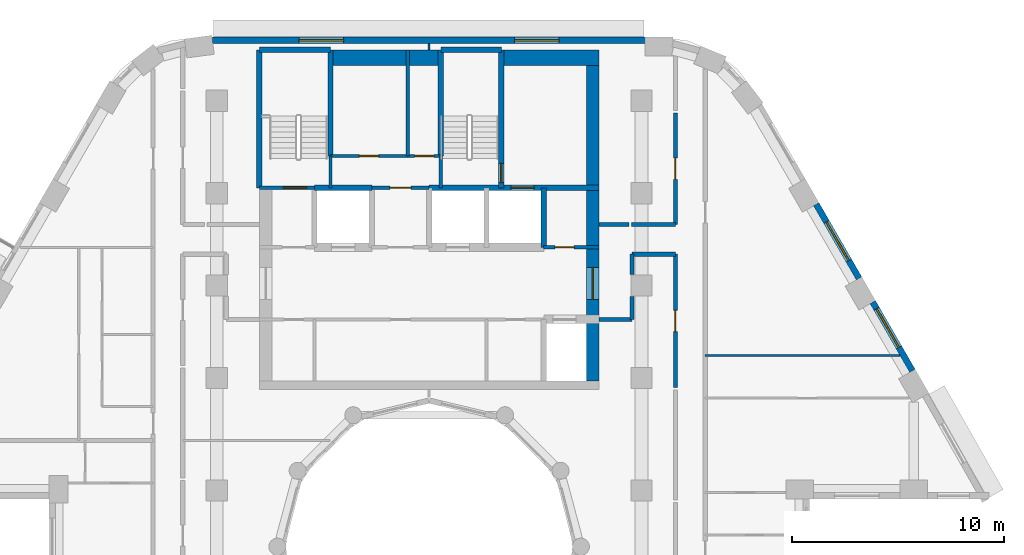
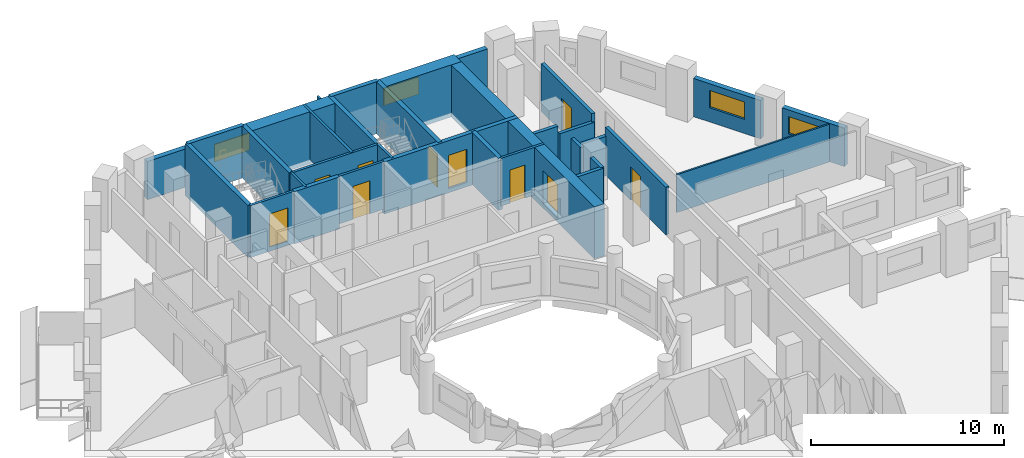
# One storey, part 8 of 13: 32 walls, 10 doors, 4 windows, 14 openings.
"""IFC4 building model written with IfcOpenShell, lengths in metres."""

from ifc_helpers import new_model, si_unit, direction, frame, frame_2d, origin, place, context, subcontext, project, spatial, rectangle, extrude, material, layer, layer_set, type_object, element, fill, save


model = new_model("IFC4")

# Units and contexts
model_context = context("Model", 3, precision=1e-05, world=origin(), true_north=direction((0.0, 1.0)))
body_context = subcontext(model_context, "Body", "Model", "MODEL_VIEW")
ifc_project = project(units=[si_unit("LENGTHUNIT", "METRE"), si_unit("AREAUNIT", "SQUARE_METRE"), si_unit("VOLUMEUNIT", "CUBIC_METRE"), si_unit("PLANEANGLEUNIT", "RADIAN"), si_unit("MASSUNIT", "GRAM", prefix="KILO")], contexts=[model_context])

# Site, building, storey
site_placement = place(None, origin())
site = spatial("IfcSite", under=ifc_project, at=site_placement, CompositionType="ELEMENT")
building_placement = place(site_placement, origin())
building = spatial("IfcBuilding", under=site, at=building_placement, Name="Nakaniwa Court", CompositionType="ELEMENT")
storey_placement = place(building_placement, frame((0.0, 0.0, 150.300048828125)))
storey = spatial("IfcBuildingStorey", under=building, at=storey_placement, Name="L39", CompositionType="ELEMENT", Elevation=150.300048828125)

# Wall, opening, door
ifc_material_1 = material(Name="Acoustic double stud partition")
ifc_layer_1 = layer(ifc_material_1, 0.199951171875)
ifc_layer_set_1 = layer_set([ifc_layer_1], Name="Acoustic double stud partition")
wall_type_1 = type_object("IfcWallType", Name="Acoustic double stud partition 200", PredefinedType="PARTITIONING", material=ifc_layer_set_1)
wall_1_placement = place(storey_placement, frame((91.60009765625, 87.4873046875, 0.0), z_axis=(0.0, 0.0, 1.0), x_axis=(0.0, 1.0, 0.0)))
wall_1 = element("IfcWall", 1, at=wall_1_placement, inside=storey, type_object=wall_type_1, Name="Partition PW-073", PredefinedType="PARTITIONING", context=body_context, shape_type="SweptSolid", body=[
    extrude(rectangle(XDim=6.28759765625, YDim=0.199951171875, at=frame_2d((3.143798828125, 0.0))), origin(), (0.0, 0.0, 1.0), 3.02490234375),
])
opening_1_placement = place(wall_1_placement, frame((2.64501953125, 0.0, 0.0)))
opening_1 = element("IfcOpeningElement", 2, at=opening_1_placement, cuts=wall_1, Name="Opening D-02-11", PredefinedType="OPENING", context=body_context, shape_type="SweptSolid", body=[
    extrude(rectangle(XDim=1.0, YDim=2.10009765625, at=frame_2d((0.5, 1.050048828125))), frame((0.0, 0.10986328125, 0.0), z_axis=(0.0, -1.0, 0.0), x_axis=(1.0, 0.0, 0.0)), (0.0, 0.0, 1.0), 0.219970703125),
])
ifc_material_2 = material(Name="Solid core timber door set, black veneer", Category="wood")
door_type_1 = type_object("IfcDoorType", Name="Internal door 1000", OperationType="NOTDEFINED", PredefinedType="DOOR", material=ifc_material_2)
door_1_placement = place(opening_1_placement, origin())
door_1 = element("IfcDoor", 3, at=door_1_placement, inside=storey, type_object=door_type_1, Name="Door D-02-11 L39-046", OperationType="SINGLE_SWING_LEFT", OverallHeight=2.10009765625, OverallWidth=1.0, PredefinedType="DOOR", context=body_context, shape_type="SweptSolid", body=[
    extrude(rectangle(XDim=1.0, YDim=2.10009765625, at=frame_2d((0.5, 1.050048828125))), frame((0.0, 0.02490234375, 0.0), z_axis=(0.0, -1.0, 0.0), x_axis=(1.0, 0.0, 0.0)), (0.0, 0.0, 1.0), 0.050048828125),
])
fill(opening_1, door_1)

wall_2_placement = place(storey_placement, frame((91.60009765625, 95.175048828125, 0.0), z_axis=(0.0, 0.0, 1.0), x_axis=(0.0, 1.0, 0.0)))
wall_2 = element("IfcWall", 4, at=wall_2_placement, inside=storey, type_object=wall_type_1, Name="Partition PW-074", PredefinedType="PARTITIONING", context=body_context, shape_type="SweptSolid", body=[
    extrude(rectangle(XDim=5.247802734375, YDim=0.199951171875, at=frame_2d((2.6240234375, 0.0))), origin(), (0.0, 0.0, 1.0), 3.02490234375),
])
opening_2_placement = place(wall_2_placement, frame((2.123046875, 0.0, 0.0)))
opening_2 = element("IfcOpeningElement", 5, at=opening_2_placement, cuts=wall_2, Name="Opening D-02-12", PredefinedType="OPENING", context=body_context, shape_type="SweptSolid", body=[
    extrude(rectangle(XDim=1.0, YDim=2.10009765625, at=frame_2d((0.5, 1.050048828125))), frame((0.0, 0.10986328125, 0.0), z_axis=(0.0, -1.0, 0.0), x_axis=(1.0, 0.0, 0.0)), (0.0, 0.0, 1.0), 0.219970703125),
])
door_2_placement = place(opening_2_placement, origin())
door_2 = element("IfcDoor", 6, at=door_2_placement, inside=storey, type_object=door_type_1, Name="Door D-02-12 L39-047", OperationType="SINGLE_SWING_RIGHT", OverallHeight=2.10009765625, OverallWidth=1.0, PredefinedType="DOOR", context=body_context, shape_type="SweptSolid", body=[
    extrude(rectangle(XDim=1.0, YDim=2.10009765625, at=frame_2d((0.5, 1.050048828125))), frame((0.0, 0.02490234375, 0.0), z_axis=(0.0, -1.0, 0.0), x_axis=(1.0, 0.0, 0.0)), (0.0, 0.0, 1.0), 0.050048828125),
])
fill(opening_2, door_2)

# Walls
wall_3_placement = place(storey_placement, frame((89.550048828125, 90.699951171875, 0.0), z_axis=(0.0, 0.0, 1.0), x_axis=(0.0, 1.0, 0.0)))
element("IfcWall", 7, at=wall_3_placement, inside=storey, type_object=wall_type_1, Name="Partition PW-085", PredefinedType="PARTITIONING", context=body_context, shape_type="SweptSolid", body=[
    extrude(rectangle(XDim=1.082763671875, YDim=0.199951171875, at=frame_2d((0.54150390625, 0.0))), origin(), (0.0, 0.0, 1.0), 3.02490234375),
])
wall_4_placement = place(storey_placement, frame((89.550048828125, 92.817138671875, 0.0), z_axis=(0.0, 0.0, 1.0), x_axis=(0.0, 1.0, 0.0)))
element("IfcWall", 8, at=wall_4_placement, inside=storey, type_object=wall_type_1, Name="Partition PW-086", PredefinedType="PARTITIONING", context=body_context, shape_type="SweptSolid", body=[
    extrude(rectangle(XDim=0.957763671875, YDim=0.199951171875, at=frame_2d((0.47900390625, 0.0))), origin(), (0.0, 0.0, 1.0), 3.02490234375),
])
wall_5_placement = place(storey_placement, frame((89.550048828125, 93.77490234375, 0.0), z_axis=(0.0, 0.0, 1.0), x_axis=(1.0, 0.0, 0.0)))
element("IfcWall", 9, at=wall_5_placement, inside=storey, type_object=wall_type_1, Name="Partition PW-090", PredefinedType="PARTITIONING", context=body_context, shape_type="SweptSolid", body=[
    extrude(rectangle(XDim=2.050048828125, YDim=0.199951171875, at=frame_2d((1.02490234375, 0.0))), origin(), (0.0, 0.0, 1.0), 2.5048828125),
])
wall_6_placement = place(storey_placement, frame((88.0, 90.699951171875, 0.0), z_axis=(0.0, 0.0, 1.0), x_axis=(1.0, 0.0, 0.0)))
element("IfcWall", 10, at=wall_6_placement, inside=storey, type_object=wall_type_1, Name="Partition PW-092", PredefinedType="PARTITIONING", context=body_context, shape_type="SweptSolid", body=[
    extrude(rectangle(XDim=1.550048828125, YDim=0.199951171875, at=frame_2d((0.77490234375, 0.0))), origin(), (0.0, 0.0, 1.0), 3.02490234375),
])
wall_7_placement = place(storey_placement, frame((88.0, 95.175048828125, 0.0), z_axis=(0.0, 0.0, 1.0), x_axis=(1.0, 0.0, 0.0)))
element("IfcWall", 11, at=wall_7_placement, inside=storey, type_object=wall_type_1, Name="Partition PW-095", PredefinedType="PARTITIONING", context=body_context, shape_type="SweptSolid", body=[
    extrude(rectangle(XDim=1.4228515625, YDim=0.199951171875, at=frame_2d((0.71142578125, 0.0))), origin(), (0.0, 0.0, 1.0), 3.02490234375),
])
wall_8_placement = place(storey_placement, frame((89.537109375, 95.175048828125, 0.0), z_axis=(0.0, 0.0, 1.0), x_axis=(1.0, 0.0, 0.0)))
element("IfcWall", 12, at=wall_8_placement, inside=storey, type_object=wall_type_1, Name="Partition PW-096", PredefinedType="PARTITIONING", context=body_context, shape_type="SweptSolid", body=[
    extrude(rectangle(XDim=2.06298828125, YDim=0.199951171875, at=frame_2d((1.031494140625, 0.0))), origin(), (0.0, 0.0, 1.0), 2.5048828125),
])

# Wall, opening, window
ifc_material_3 = material(Name="Charcoal ceramic cladding")
ifc_layer_2 = layer(ifc_material_3, 0.02, Name="Ceramic cladding")
ifc_material_4 = material(Name="Ventilated air cavity")
ifc_layer_3 = layer(ifc_material_4, 0.04, ventilated=True, Name="Ventilated cavity")
ifc_material_5 = material(Name="Mineral wool insulation")
ifc_layer_4 = layer(ifc_material_5, 0.1, Name="Insulation")
ifc_material_6 = material(Name="Cement bonded sheathing board")
ifc_layer_5 = layer(ifc_material_6, 0.012, Name="Sheathing")
ifc_material_7 = material(Name="Cold-formed galvanised stud frame with mineral wool infill")
ifc_layer_6 = layer(ifc_material_7, 0.1, Name="Stud frame")
ifc_material_8 = material(Name="Fire-rated gypsum plasterboard lining")
ifc_layer_7 = layer(ifc_material_8, 0.028, Name="Lining")
ifc_layer_set_2 = layer_set([ifc_layer_2, ifc_layer_3, ifc_layer_4, ifc_layer_5, ifc_layer_6, ifc_layer_7], Name="Charcoal ceramic faced external wall system")
wall_type_2 = type_object("IfcWallType", Name="Black ceramic faced external wall 300", PredefinedType="SOLIDWALL", material=ifc_layer_set_2)
wall_9_placement = place(storey_placement, frame((102.759521484375, 88.279052734375, 0.0), z_axis=(0.0, 0.0, 1.0), x_axis=(-0.499933594891, 0.866063739398, 0.0)))
wall_9 = element("IfcWall", 13, at=wall_9_placement, inside=storey, type_object=wall_type_2, Name="L39 external wall 03", PredefinedType="SOLIDWALL", context=body_context, shape_type="SweptSolid", body=[
    extrude(rectangle(XDim=3.73681640625, YDim=0.300048828125, at=frame_2d((1.868408203125, 0.0))), origin(), (0.0, 0.0, 1.0), 2.425048828125),
])
opening_3_placement = place(wall_9_placement, frame((1.271728515625, 0.0, 0.89990234375)))
opening_3 = element("IfcOpeningElement", 14, at=opening_3_placement, cuts=wall_9, Name="Opening W7.04", PredefinedType="OPENING", context=body_context, shape_type="SweptSolid", body=[
    extrude(rectangle(XDim=2.10009765625, YDim=1.10009765625, at=frame_2d((1.050048828125, 0.550048828125))), frame((0.0, 0.159912109375, 0.0), z_axis=(0.0, -1.0, 0.0), x_axis=(1.0, 0.0, 0.0)), (0.0, 0.0, 1.0), 0.320068359375),
])
ifc_material_9 = material(Name="Black anodised aluminium frame with dark low-E laminated double glazing", Category="aluminium")
window_type = type_object("IfcWindowType", Name="Dark glass window 2100x1100 sill 900", PartitioningType="SINGLE_PANEL", PredefinedType="WINDOW", material=ifc_material_9)
window_1_placement = place(opening_3_placement, origin())
window_1 = element("IfcWindow", 15, at=window_1_placement, inside=storey, type_object=window_type, Name="L39 habitable room window 03-1", OverallHeight=1.10009765625, OverallWidth=2.10009765625, PartitioningType="SINGLE_PANEL", PredefinedType="WINDOW", context=body_context, shape_type="SweptSolid", body=[
    extrude(rectangle(XDim=2.10009765625, YDim=1.10009765625, at=frame_2d((1.050048828125, 0.550048828125))), frame((0.0, 0.030029296875, 0.0), z_axis=(0.0, -1.0, 0.0), x_axis=(1.0, 0.0, 0.0)), (0.0, 0.0, 1.0), 0.06005859375),
])
fill(opening_3, window_1)

wall_10_placement = place(storey_placement, frame((100.245361328125, 92.63427734375, 0.0), z_axis=(0.0, 0.0, 1.0), x_axis=(-0.500031546601, 0.86600718958, 0.0)))
wall_10 = element("IfcWall", 16, at=wall_10_placement, inside=storey, type_object=wall_type_2, Name="L39 external wall 04", PredefinedType="SOLIDWALL", context=body_context, shape_type="SweptSolid", body=[
    extrude(rectangle(XDim=4.033935546875, YDim=0.300048828125, at=frame_2d((2.01708984375, 0.0))), origin(), (0.0, 0.0, 1.0), 2.425048828125),
])
opening_4_placement = place(wall_10_placement, frame((0.966796875, 0.0, 0.89990234375)))
opening_4 = element("IfcOpeningElement", 17, at=opening_4_placement, cuts=wall_10, Name="Opening W7.05", PredefinedType="OPENING", context=body_context, shape_type="SweptSolid", body=[
    extrude(rectangle(XDim=2.10009765625, YDim=1.10009765625, at=frame_2d((1.050048828125, 0.550048828125))), frame((0.0, 0.159912109375, 0.0), z_axis=(0.0, -1.0, 0.0), x_axis=(1.0, 0.0, 0.0)), (0.0, 0.0, 1.0), 0.320068359375),
])
window_2_placement = place(opening_4_placement, origin())
window_2 = element("IfcWindow", 18, at=window_2_placement, inside=storey, type_object=window_type, Name="L39 habitable room window 04-0", OverallHeight=1.10009765625, OverallWidth=2.10009765625, PartitioningType="SINGLE_PANEL", PredefinedType="WINDOW", context=body_context, shape_type="SweptSolid", body=[
    extrude(rectangle(XDim=2.10009765625, YDim=1.10009765625, at=frame_2d((1.050048828125, 0.550048828125))), frame((0.0, 0.030029296875, 0.0), z_axis=(0.0, -1.0, 0.0), x_axis=(1.0, 0.0, 0.0)), (0.0, 0.0, 1.0), 0.06005859375),
])
fill(opening_4, window_2)

# Wall, openings, windows
wall_11_placement = place(storey_placement, frame((90.1787109375, 103.85009765625, 0.0), z_axis=(0.0, 0.0, 1.0), x_axis=(-1.0, 0.0, 0.0)))
wall_11 = element("IfcWall", 19, at=wall_11_placement, inside=storey, type_object=wall_type_2, Name="L39 external wall 08", PredefinedType="SOLIDWALL", context=body_context, shape_type="SweptSolid", body=[
    extrude(rectangle(XDim=20.391357421875, YDim=0.300048828125, at=frame_2d((10.19580078125, 0.0))), origin(), (0.0, 0.0, 1.0), 2.425048828125),
])
opening_5_placement = place(wall_11_placement, frame((4.05126953125, 0.0, 0.89990234375)))
opening_5 = element("IfcOpeningElement", 20, at=opening_5_placement, cuts=wall_11, Name="Opening W7.08", PredefinedType="OPENING", context=body_context, shape_type="SweptSolid", body=[
    extrude(rectangle(XDim=2.10009765625, YDim=1.10009765625, at=frame_2d((1.050048828125, 0.550048828125))), frame((0.0, 0.159912109375, 0.0), z_axis=(0.0, -1.0, 0.0), x_axis=(1.0, 0.0, 0.0)), (0.0, 0.0, 1.0), 0.320068359375),
])
opening_6_placement = place(wall_11_placement, frame((14.211669921875, 0.0, 0.89990234375)))
opening_6 = element("IfcOpeningElement", 21, at=opening_6_placement, cuts=wall_11, Name="Opening W7.09", PredefinedType="OPENING", context=body_context, shape_type="SweptSolid", body=[
    extrude(rectangle(XDim=2.10009765625, YDim=1.10009765625, at=frame_2d((1.050048828125, 0.550048828125))), frame((0.0, 0.159912109375, 0.0), z_axis=(0.0, -1.0, 0.0), x_axis=(1.0, 0.0, 0.0)), (0.0, 0.0, 1.0), 0.320068359375),
])
window_3_placement = place(opening_5_placement, origin())
window_3 = element("IfcWindow", 22, at=window_3_placement, inside=storey, type_object=window_type, Name="L39 habitable room window 08-0", OverallHeight=1.10009765625, OverallWidth=2.10009765625, PartitioningType="SINGLE_PANEL", PredefinedType="WINDOW", context=body_context, shape_type="SweptSolid", body=[
    extrude(rectangle(XDim=2.10009765625, YDim=1.10009765625, at=frame_2d((1.050048828125, 0.550048828125))), frame((0.0, 0.030029296875, 0.0), z_axis=(0.0, -1.0, 0.0), x_axis=(1.0, 0.0, 0.0)), (0.0, 0.0, 1.0), 0.06005859375),
])
fill(opening_5, window_3)
window_4_placement = place(opening_6_placement, origin())
window_4 = element("IfcWindow", 23, at=window_4_placement, inside=storey, type_object=window_type, Name="L39 habitable room window 08-1", OverallHeight=1.10009765625, OverallWidth=2.10009765625, PartitioningType="SINGLE_PANEL", PredefinedType="WINDOW", context=body_context, shape_type="SweptSolid", body=[
    extrude(rectangle(XDim=2.10009765625, YDim=1.10009765625, at=frame_2d((1.050048828125, 0.550048828125))), frame((0.0, 0.030029296875, 0.0), z_axis=(0.0, -1.0, 0.0), x_axis=(1.0, 0.0, 0.0)), (0.0, 0.0, 1.0), 0.06005859375),
])
fill(opening_6, window_4)

# Wall, opening, door
ifc_material_10 = material(Name="Blockwork partition", Category="masonry")
ifc_layer_8 = layer(ifc_material_10, 0.14990234375)
ifc_layer_set_3 = layer_set([ifc_layer_8], Name="Blockwork partition")
wall_type_3 = type_object("IfcWallType", Name="Blockwork partition 150", PredefinedType="PARTITIONING", material=ifc_layer_set_3)
wall_12_placement = place(storey_placement, frame((85.39697265625, 94.10009765625, 0.0), z_axis=(0.0, 0.0, 1.0), x_axis=(1.0, 0.0, 0.0)))
wall_12 = element("IfcWall", 24, at=wall_12_placement, inside=storey, type_object=wall_type_3, Name="Partition PW-011", PredefinedType="PARTITIONING", context=body_context, shape_type="SweptSolid", body=[
    extrude(rectangle(XDim=2.60302734375, YDim=0.14990234375, at=frame_2d((1.301513671875, 0.0))), origin(), (0.0, 0.0, 1.0), 3.02490234375),
])
opening_7_placement = place(wall_12_placement, frame((0.528076171875, 0.0, 0.0)))
opening_7 = element("IfcOpeningElement", 25, at=opening_7_placement, cuts=wall_12, Name="Opening D-05-04", PredefinedType="OPENING", context=body_context, shape_type="SweptSolid", body=[
    extrude(rectangle(XDim=0.89990234375, YDim=2.10009765625, at=frame_2d((0.449951171875, 1.050048828125))), frame((0.0, 0.0849609375, 0.0), z_axis=(0.0, -1.0, 0.0), x_axis=(1.0, 0.0, 0.0)), (0.0, 0.0, 1.0), 0.169921875),
])
ifc_material_11 = material(Name="Fire rated steel door set", Category="steel")
door_type_2 = type_object("IfcDoorType", Name="Service room door 900", OperationType="NOTDEFINED", PredefinedType="DOOR", material=ifc_material_11)
door_3_placement = place(opening_7_placement, origin())
door_3 = element("IfcDoor", 26, at=door_3_placement, inside=storey, type_object=door_type_2, Name="Door D-05-04 L39-006", OperationType="SINGLE_SWING_LEFT", OverallHeight=2.10009765625, OverallWidth=0.89990234375, PredefinedType="DOOR", context=body_context, shape_type="SweptSolid", body=[
    extrude(rectangle(XDim=0.89990234375, YDim=2.10009765625, at=frame_2d((0.449951171875, 1.050048828125))), frame((0.0, 0.02490234375, 0.0), z_axis=(0.0, -1.0, 0.0), x_axis=(1.0, 0.0, 0.0)), (0.0, 0.0, 1.0), 0.050048828125),
])
fill(opening_7, door_3)

wall_13_placement = place(storey_placement, frame((77.300048828125, 96.89990234375, 0.0), z_axis=(0.0, 0.0, 1.0), x_axis=(1.0, 0.0, 0.0)))
wall_13 = element("IfcWall", 27, at=wall_13_placement, inside=storey, type_object=wall_type_3, Name="Partition PW-020", PredefinedType="PARTITIONING", context=body_context, shape_type="SweptSolid", body=[
    extrude(rectangle(XDim=2.699951171875, YDim=0.14990234375, at=frame_2d((1.35009765625, 0.0))), origin(), (0.0, 0.0, 1.0), 3.02490234375),
])
opening_8_placement = place(wall_13_placement, frame((0.85009765625, 0.0, 0.0)))
opening_8 = element("IfcOpeningElement", 28, at=opening_8_placement, cuts=wall_13, Name="Opening D-23-01", PredefinedType="OPENING", context=body_context, shape_type="SweptSolid", body=[
    extrude(rectangle(XDim=1.0, YDim=2.10009765625, at=frame_2d((0.5, 1.050048828125))), frame((0.0, 0.0849609375, 0.0), z_axis=(0.0, -1.0, 0.0), x_axis=(1.0, 0.0, 0.0)), (0.0, 0.0, 1.0), 0.169921875),
])
door_type_3 = type_object("IfcDoorType", Name="Service room door 1000", OperationType="NOTDEFINED", PredefinedType="DOOR", material=ifc_material_11)
door_4_placement = place(opening_8_placement, origin())
door_4 = element("IfcDoor", 29, at=door_4_placement, inside=storey, type_object=door_type_3, Name="Door D-23-01 L39-007", OperationType="SINGLE_SWING_RIGHT", OverallHeight=2.10009765625, OverallWidth=1.0, PredefinedType="DOOR", context=body_context, shape_type="SweptSolid", body=[
    extrude(rectangle(XDim=1.0, YDim=2.10009765625, at=frame_2d((0.5, 1.050048828125))), frame((0.0, 0.02490234375, 0.0), z_axis=(0.0, -1.0, 0.0), x_axis=(1.0, 0.0, 0.0)), (0.0, 0.0, 1.0), 0.050048828125),
])
fill(opening_8, door_4)

# Wall, openings, doors
wall_14_placement = place(storey_placement, frame((75.35009765625, 98.39990234375, 0.0), z_axis=(0.0, 0.0, 1.0), x_axis=(1.0, 0.0, 0.0)))
wall_14 = element("IfcWall", 30, at=wall_14_placement, inside=storey, type_object=wall_type_3, Name="Partition PW-032", PredefinedType="PARTITIONING", context=body_context, shape_type="SweptSolid", body=[
    extrude(rectangle(XDim=5.199951171875, YDim=0.14990234375, at=frame_2d((2.60009765625, 0.0))), origin(), (0.0, 0.0, 1.0), 3.02490234375),
])
opening_9_placement = place(wall_14_placement, frame((1.3701171875, 0.0, 0.0)))
opening_9 = element("IfcOpeningElement", 31, at=opening_9_placement, cuts=wall_14, Name="Opening D-05-05", PredefinedType="OPENING", context=body_context, shape_type="SweptSolid", body=[
    extrude(rectangle(XDim=0.89990234375, YDim=2.10009765625, at=frame_2d((0.449951171875, 1.050048828125))), frame((0.0, 0.0849609375, 0.0), z_axis=(0.0, -1.0, 0.0), x_axis=(1.0, 0.0, 0.0)), (0.0, 0.0, 1.0), 0.169921875),
])
opening_10_placement = place(wall_14_placement, frame((3.969970703125, 0.0, 0.0)))
opening_10 = element("IfcOpeningElement", 32, at=opening_10_placement, cuts=wall_14, Name="Opening D-05-06", PredefinedType="OPENING", context=body_context, shape_type="SweptSolid", body=[
    extrude(rectangle(XDim=0.89990234375, YDim=2.10009765625, at=frame_2d((0.449951171875, 1.050048828125))), frame((0.0, 0.0849609375, 0.0), z_axis=(0.0, -1.0, 0.0), x_axis=(1.0, 0.0, 0.0)), (0.0, 0.0, 1.0), 0.169921875),
])
door_5_placement = place(opening_9_placement, origin())
door_5 = element("IfcDoor", 33, at=door_5_placement, inside=storey, type_object=door_type_2, Name="Door D-05-05 L39-008", OperationType="SINGLE_SWING_LEFT", OverallHeight=2.10009765625, OverallWidth=0.89990234375, PredefinedType="DOOR", context=body_context, shape_type="SweptSolid", body=[
    extrude(rectangle(XDim=0.89990234375, YDim=2.10009765625, at=frame_2d((0.449951171875, 1.050048828125))), frame((0.0, 0.02490234375, 0.0), z_axis=(0.0, -1.0, 0.0), x_axis=(1.0, 0.0, 0.0)), (0.0, 0.0, 1.0), 0.050048828125),
])
fill(opening_9, door_5)
door_6_placement = place(opening_10_placement, origin())
door_6 = element("IfcDoor", 34, at=door_6_placement, inside=storey, type_object=door_type_2, Name="Door D-05-06 L39-009", OperationType="SINGLE_SWING_RIGHT", OverallHeight=2.10009765625, OverallWidth=0.89990234375, PredefinedType="DOOR", context=body_context, shape_type="SweptSolid", body=[
    extrude(rectangle(XDim=0.89990234375, YDim=2.10009765625, at=frame_2d((0.449951171875, 1.050048828125))), frame((0.0, 0.02490234375, 0.0), z_axis=(0.0, -1.0, 0.0), x_axis=(1.0, 0.0, 0.0)), (0.0, 0.0, 1.0), 0.050048828125),
])
fill(opening_10, door_6)

# Wall
wall_15_placement = place(storey_placement, frame((78.989990234375, 98.39990234375, 0.0), z_axis=(0.0, 0.0, 1.0), x_axis=(0.0, 1.0, 0.0)))
element("IfcWall", 35, at=wall_15_placement, inside=storey, type_object=wall_type_3, Name="Partition PW-033", PredefinedType="PARTITIONING", context=body_context, shape_type="SweptSolid", body=[
    extrude(rectangle(XDim=5.0, YDim=0.14990234375, at=frame_2d((2.5, 0.0))), origin(), (0.0, 0.0, 1.0), 3.02490234375),
])

# Wall, opening, door
ifc_material_12 = material(Name="Concrete C80/100", Category="concrete")
ifc_layer_9 = layer(ifc_material_12, 0.60009765625)
ifc_layer_set_4 = layer_set([ifc_layer_9], Name="Concrete C80/100")
wall_type_4 = type_object("IfcWallType", Name="Concrete core side wall 600 C80", PredefinedType="SHEAR", material=ifc_layer_set_4)
wall_16_placement = place(storey_placement, frame((87.699951171875, 103.39990234375, -0.275146484375), z_axis=(0.0, 0.0, 1.0), x_axis=(0.0, -1.0, 0.0)))
wall_16 = element("IfcWall", 36, at=wall_16_placement, inside=storey, type_object=wall_type_4, Name="Core wall SW-07", PredefinedType="SHEAR", context=body_context, shape_type="SweptSolid", body=[
    extrude(rectangle(XDim=15.599853515625, YDim=0.60009765625, at=frame_2d((7.7998046875, 0.0))), origin(), (0.0, 0.0, 1.0), 3.300048828125),
])
opening_11_placement = place(wall_16_placement, frame((10.248046875, 0.0, 0.27490234375)))
opening_11 = element("IfcOpeningElement", 37, at=opening_11_placement, cuts=wall_16, Name="Opening D-07-01", PredefinedType="OPENING", context=body_context, shape_type="SweptSolid", body=[
    extrude(rectangle(XDim=1.5, YDim=2.10009765625, at=frame_2d((0.75, 1.050048828125))), frame((0.0, 0.31005859375, 0.0), z_axis=(0.0, -1.0, 0.0), x_axis=(1.0, 0.0, 0.0)), (0.0, 0.0, 1.0), 0.6201171875),
])
ifc_material_13 = material(Name="Glazed fire rated steel double door set", Category="steel")
door_type_4 = type_object("IfcDoorType", Name="Lobby double door 1500", OperationType="NOTDEFINED", PredefinedType="DOOR", material=ifc_material_13)
door_7_placement = place(opening_11_placement, origin())
door_7 = element("IfcDoor", 38, at=door_7_placement, inside=storey, type_object=door_type_4, Name="Door D-07-01 L39-049", OperationType="DOUBLE_DOOR_SINGLE_SWING", OverallHeight=2.10009765625, OverallWidth=1.5, PredefinedType="DOOR", context=body_context, shape_type="SweptSolid", body=[
    extrude(rectangle(XDim=1.5, YDim=2.10009765625, at=frame_2d((0.75, 1.050048828125))), frame((0.0, 0.02490234375, 0.0), z_axis=(0.0, -1.0, 0.0), x_axis=(1.0, 0.0, 0.0)), (0.0, 0.0, 1.0), 0.050048828125),
])
fill(opening_11, door_7)

ifc_layer_10 = layer(ifc_material_12, 0.14990234375)
ifc_layer_set_5 = layer_set([ifc_layer_10], Name="Concrete C80/100")
wall_type_5 = type_object("IfcWallType", Name="Concrete core wall 150 C80", PredefinedType="SHEAR", material=ifc_layer_set_5)
wall_17_placement = place(storey_placement, frame((74.60009765625, 96.89990234375, -0.275146484375), z_axis=(0.0, 0.0, 1.0), x_axis=(-1.0, 0.0, 0.0)))
wall_17 = element("IfcWall", 39, at=wall_17_placement, inside=storey, type_object=wall_type_5, Name="Core wall SW-15", PredefinedType="SHEAR", context=body_context, shape_type="SweptSolid", body=[
    extrude(rectangle(XDim=2.60009765625, YDim=0.14990234375, at=frame_2d((1.300048828125, 0.0))), origin(), (0.0, 0.0, 1.0), 3.300048828125),
])
opening_12_placement = place(wall_17_placement, frame((0.3701171875, 0.0, 0.27490234375)))
opening_12 = element("IfcOpeningElement", 40, at=opening_12_placement, cuts=wall_17, Name="Opening D-09-01", PredefinedType="OPENING", context=body_context, shape_type="SweptSolid", body=[
    extrude(rectangle(XDim=1.10009765625, YDim=2.10009765625, at=frame_2d((0.550048828125, 1.050048828125))), frame((0.0, 0.0849609375, 0.0), z_axis=(0.0, -1.0, 0.0), x_axis=(1.0, 0.0, 0.0)), (0.0, 0.0, 1.0), 0.169921875),
])
door_type_5 = type_object("IfcDoorType", Name="Stair door 1100", OperationType="NOTDEFINED", PredefinedType="DOOR", material=ifc_material_11)
door_8_placement = place(opening_12_placement, origin())
door_8 = element("IfcDoor", 41, at=door_8_placement, inside=storey, type_object=door_type_5, Name="Door D-09-01 L39-010", OperationType="SINGLE_SWING_RIGHT", OverallHeight=2.10009765625, OverallWidth=1.10009765625, PredefinedType="DOOR", context=body_context, shape_type="SweptSolid", body=[
    extrude(rectangle(XDim=1.10009765625, YDim=2.10009765625, at=frame_2d((0.550048828125, 1.050048828125))), frame((0.0, 0.02490234375, 0.0), z_axis=(0.0, -1.0, 0.0), x_axis=(1.0, 0.0, 0.0)), (0.0, 0.0, 1.0), 0.050048828125),
])
fill(opening_12, door_8)

# Walls
for number, where, z_axis, x_axis, name in (
    (42, (75.35009765625, 96.89990234375, -0.275146484375), (0.0, 0.0, 1.0), (0.0, 1.0, 0.0), "Core wall SW-22"),
    (43, (80.550048828125, 96.89990234375, -0.275146484375), (0.0, 0.0, 1.0), (0.0, 1.0, 0.0), "Core wall SW-28"),
):
    element("IfcWall", number, at=place(storey_placement, frame(where, z_axis=z_axis, x_axis=x_axis)), inside=storey, type_object=wall_type_5, Name=name, PredefinedType="SHEAR", context=body_context, shape_type="SweptSolid", body=[
        extrude(rectangle(XDim=1.503173828125, YDim=0.14990234375, at=frame_2d((0.75146484375, 0.0))), origin(), (0.0, 0.0, 1.0), 3.300048828125),
    ])
ifc_layer_11 = layer(ifc_material_12, 0.25)
ifc_layer_set_6 = layer_set([ifc_layer_11], Name="Concrete C80/100")
wall_type_6 = type_object("IfcWallType", Name="Concrete core wall 250 C80", PredefinedType="SHEAR", material=ifc_layer_set_6)
wall_18_placement = place(storey_placement, frame((72.0, 103.39990234375, -0.275146484375), z_axis=(0.0, 0.0, 1.0), x_axis=(1.0, 0.0, 0.0)))
element("IfcWall", 44, at=wall_18_placement, inside=storey, type_object=wall_type_6, Name="Core wall SW-24", PredefinedType="SHEAR", context=body_context, shape_type="SweptSolid", body=[
    extrude(rectangle(XDim=3.35009765625, YDim=0.25, at=frame_2d((1.675048828125, 0.0))), origin(), (0.0, 0.0, 1.0), 3.300048828125),
])
wall_19_placement = place(storey_placement, frame((80.550048828125, 103.39990234375, -0.275146484375), z_axis=(0.0, 0.0, 1.0), x_axis=(1.0, 0.0, 0.0)))
element("IfcWall", 45, at=wall_19_placement, inside=storey, type_object=wall_type_6, Name="Core wall SW-25", PredefinedType="SHEAR", context=body_context, shape_type="SweptSolid", body=[
    extrude(rectangle(XDim=2.849853515625, YDim=0.25, at=frame_2d((1.4248046875, 0.0))), origin(), (0.0, 0.0, 1.0), 3.300048828125),
])
wall_20_placement = place(storey_placement, frame((72.0, 96.89990234375, -0.275146484375), z_axis=(0.0, 0.0, 1.0), x_axis=(0.0, 1.0, 0.0)))
element("IfcWall", 46, at=wall_20_placement, inside=storey, type_object=wall_type_6, Name="Core wall SW-26", PredefinedType="SHEAR", context=body_context, shape_type="SweptSolid", body=[
    extrude(rectangle(XDim=6.5, YDim=0.25, at=frame_2d((3.25, 0.0))), origin(), (0.0, 0.0, 1.0), 3.300048828125),
])
ifc_layer_12 = layer(ifc_material_12, 0.75)
ifc_layer_set_7 = layer_set([ifc_layer_12], Name="Concrete C80/100")
wall_type_7 = type_object("IfcWallType", Name="Concrete core wall 750 C80", PredefinedType="SHEAR", material=ifc_layer_set_7)
wall_21_placement = place(storey_placement, frame((75.35009765625, 103.02490234375, -0.275146484375), z_axis=(0.0, 0.0, 1.0), x_axis=(1.0, 0.0, 0.0)))
element("IfcWall", 47, at=wall_21_placement, inside=storey, type_object=wall_type_7, Name="Core wall SW-30", PredefinedType="SHEAR", context=body_context, shape_type="SweptSolid", body=[
    extrude(rectangle(XDim=5.199951171875, YDim=0.75, at=frame_2d((2.60009765625, 0.0))), origin(), (0.0, 0.0, 1.0), 3.300048828125),
])
wall_22_placement = place(storey_placement, frame((83.39990234375, 103.02490234375, -0.275146484375), z_axis=(0.0, 0.0, 1.0), x_axis=(1.0, 0.0, 0.0)))
element("IfcWall", 48, at=wall_22_placement, inside=storey, type_object=wall_type_7, Name="Core wall SW-31", PredefinedType="SHEAR", context=body_context, shape_type="SweptSolid", body=[
    extrude(rectangle(XDim=4.60009765625, YDim=0.75, at=frame_2d((2.300048828125, 0.0))), origin(), (0.0, 0.0, 1.0), 3.300048828125),
])
ifc_layer_13 = layer(ifc_material_12, 0.25)
ifc_layer_set_8 = layer_set([ifc_layer_13], Name="Concrete C80/100")
wall_type_8 = type_object("IfcWallType", Name="Concrete shaft wall 250 C80", PredefinedType="SHEAR", material=ifc_layer_set_8)
wall_23_placement = place(storey_placement, frame((85.39990234375, 94.10009765625, -0.275146484375), z_axis=(0.0, 0.0, 1.0), x_axis=(0.0, 1.0, 0.0)))
element("IfcWall", 49, at=wall_23_placement, inside=storey, type_object=wall_type_8, Name="Core wall SW-05", PredefinedType="SHEAR", context=body_context, shape_type="SweptSolid", body=[
    extrude(rectangle(XDim=2.7998046875, YDim=0.25, at=frame_2d((1.39990234375, 0.0))), origin(), (0.0, 0.0, 1.0), 3.300048828125),
])
wall_24_placement = place(storey_placement, frame((74.60009765625, 96.89990234375, -0.275146484375), z_axis=(0.0, 0.0, 1.0), x_axis=(1.0, 0.0, 0.0)))
element("IfcWall", 50, at=wall_24_placement, inside=storey, type_object=wall_type_8, Name="Core wall SW-17", PredefinedType="SHEAR", context=body_context, shape_type="SweptSolid", body=[
    extrude(rectangle(XDim=2.699951171875, YDim=0.25, at=frame_2d((1.35009765625, 0.0))), origin(), (0.0, 0.0, 1.0), 3.300048828125),
])

# Wall, opening, door
wall_25_placement = place(storey_placement, frame((80.0, 96.89990234375, -0.275146484375), z_axis=(0.0, 0.0, 1.0), x_axis=(1.0, 0.0, 0.0)))
wall_25 = element("IfcWall", 51, at=wall_25_placement, inside=storey, type_object=wall_type_8, Name="Core wall SW-18", PredefinedType="SHEAR", context=body_context, shape_type="SweptSolid", body=[
    extrude(rectangle(XDim=8.0, YDim=0.25, at=frame_2d((4.0, 0.0))), origin(), (0.0, 0.0, 1.0), 3.300048828125),
])
opening_13_placement = place(wall_25_placement, frame((3.84912109375, 0.0, 0.27490234375)))
opening_13 = element("IfcOpeningElement", 52, at=opening_13_placement, cuts=wall_25, Name="Opening LD04", PredefinedType="OPENING", context=body_context, shape_type="SweptSolid", body=[
    extrude(rectangle(XDim=1.10009765625, YDim=2.10009765625, at=frame_2d((0.550048828125, 1.050048828125))), frame((0.0, 0.135009765625, 0.0), z_axis=(0.0, -1.0, 0.0), x_axis=(1.0, 0.0, 0.0)), (0.0, 0.0, 1.0), 0.27001953125),
])
ifc_material_14 = material(Name="Stainless steel sliding lift landing door", Category="steel")
door_type_6 = type_object("IfcDoorType", Name="Lift landing door 1100", OperationType="NOTDEFINED", PredefinedType="DOOR", material=ifc_material_14)
door_9_placement = place(opening_13_placement, origin())
door_9 = element("IfcDoor", 53, at=door_9_placement, inside=storey, type_object=door_type_6, Name="Lift landing door LD04 L39-004", OperationType="SLIDING_TO_LEFT", OverallHeight=2.10009765625, OverallWidth=1.10009765625, PredefinedType="DOOR", context=body_context, shape_type="SweptSolid", body=[
    extrude(rectangle(XDim=1.10009765625, YDim=2.10009765625, at=frame_2d((0.550048828125, 1.050048828125))), frame((0.0, 0.02490234375, 0.0), z_axis=(0.0, -1.0, 0.0), x_axis=(1.0, 0.0, 0.0)), (0.0, 0.0, 1.0), 0.050048828125),
])
fill(opening_13, door_9)

# Wall
wall_26_placement = place(storey_placement, frame((75.35009765625, 98.39697265625, -0.275146484375), z_axis=(0.0, 0.0, 1.0), x_axis=(0.0, 1.0, 0.0)))
element("IfcWall", 54, at=wall_26_placement, inside=storey, type_object=wall_type_8, Name="Core wall SW-23", PredefinedType="SHEAR", context=body_context, shape_type="SweptSolid", body=[
    extrude(rectangle(XDim=5.0029296875, YDim=0.25, at=frame_2d((2.50146484375, 0.0))), origin(), (0.0, 0.0, 1.0), 3.300048828125),
])

# Wall, opening, door
wall_27_placement = place(storey_placement, frame((83.39990234375, 103.39990234375, -0.275146484375), z_axis=(0.0, 0.0, 1.0), x_axis=(0.0, -1.0, 0.0)))
wall_27 = element("IfcWall", 55, at=wall_27_placement, inside=storey, type_object=wall_type_8, Name="Core wall SW-27", PredefinedType="SHEAR", context=body_context, shape_type="SweptSolid", body=[
    extrude(rectangle(XDim=6.5, YDim=0.25, at=frame_2d((3.25, 0.0))), origin(), (0.0, 0.0, 1.0), 3.300048828125),
])
opening_14_placement = place(wall_27_placement, frame((5.35009765625, 0.0, 0.27490234375)))
opening_14 = element("IfcOpeningElement", 56, at=opening_14_placement, cuts=wall_27, Name="Opening D-11-01", PredefinedType="OPENING", context=body_context, shape_type="SweptSolid", body=[
    extrude(rectangle(XDim=0.89990234375, YDim=2.10009765625, at=frame_2d((0.449951171875, 1.050048828125))), frame((0.0, 0.135009765625, 0.0), z_axis=(0.0, -1.0, 0.0), x_axis=(1.0, 0.0, 0.0)), (0.0, 0.0, 1.0), 0.27001953125),
])
door_type_7 = type_object("IfcDoorType", Name="Stair door 900", OperationType="NOTDEFINED", PredefinedType="DOOR", material=ifc_material_11)
door_10_placement = place(opening_14_placement, origin())
door_10 = element("IfcDoor", 57, at=door_10_placement, inside=storey, type_object=door_type_7, Name="Door D-11-01 L39-011", OperationType="SINGLE_SWING_LEFT", OverallHeight=2.10009765625, OverallWidth=0.89990234375, PredefinedType="DOOR", context=body_context, shape_type="SweptSolid", body=[
    extrude(rectangle(XDim=0.89990234375, YDim=2.10009765625, at=frame_2d((0.449951171875, 1.050048828125))), frame((0.0, 0.02490234375, 0.0), z_axis=(0.0, -1.0, 0.0), x_axis=(1.0, 0.0, 0.0)), (0.0, 0.0, 1.0), 0.050048828125),
])
fill(opening_14, door_10)

# Walls
wall_28_placement = place(storey_placement, frame((80.550048828125, 98.39697265625, -0.275146484375), z_axis=(0.0, 0.0, 1.0), x_axis=(0.0, 1.0, 0.0)))
element("IfcWall", 58, at=wall_28_placement, inside=storey, type_object=wall_type_8, Name="Core wall SW-29", PredefinedType="SHEAR", context=body_context, shape_type="SweptSolid", body=[
    extrude(rectangle(XDim=5.0029296875, YDim=0.25, at=frame_2d((2.50146484375, 0.0))), origin(), (0.0, 0.0, 1.0), 3.300048828125),
])
ifc_material_15 = material(Name="Single stud plasterboard partition")
ifc_layer_14 = layer(ifc_material_15, 0.10009765625)
ifc_layer_set_9 = layer_set([ifc_layer_14], Name="Single stud plasterboard partition")
wall_type_9 = type_object("IfcWallType", Name="Single stud plasterboard partition 100", PredefinedType="PARTITIONING", material=ifc_layer_set_9)
wall_29_placement = place(storey_placement, frame((80.0, 103.39990234375, 0.0), z_axis=(0.0, 0.0, 1.0), x_axis=(0.0, 1.0, 0.0)))
element("IfcWall", 59, at=wall_29_placement, inside=storey, type_object=wall_type_9, Name="Partition PW-114", PredefinedType="PARTITIONING", context=body_context, shape_type="SweptSolid", body=[
    extrude(rectangle(XDim=0.300048828125, YDim=0.10009765625, at=frame_2d((0.14990234375, 0.0))), origin(), (0.0, 0.0, 1.0), 3.02490234375),
])
wall_30_placement = place(storey_placement, frame((93.0009765625, 89.0, 0.0), z_axis=(0.0, 0.0, 1.0), x_axis=(1.0, 0.0, 0.0)))
element("IfcWall", 60, at=wall_30_placement, inside=storey, type_object=wall_type_9, Name="Partition PW-120", PredefinedType="PARTITIONING", context=body_context, shape_type="SweptSolid", body=[
    extrude(rectangle(XDim=9.169189453125, YDim=0.10009765625, at=frame_2d((4.58447265625, 0.0))), origin(), (0.0, 0.0, 1.0), 2.405029296875),
])

save(model, "model.ifc")
